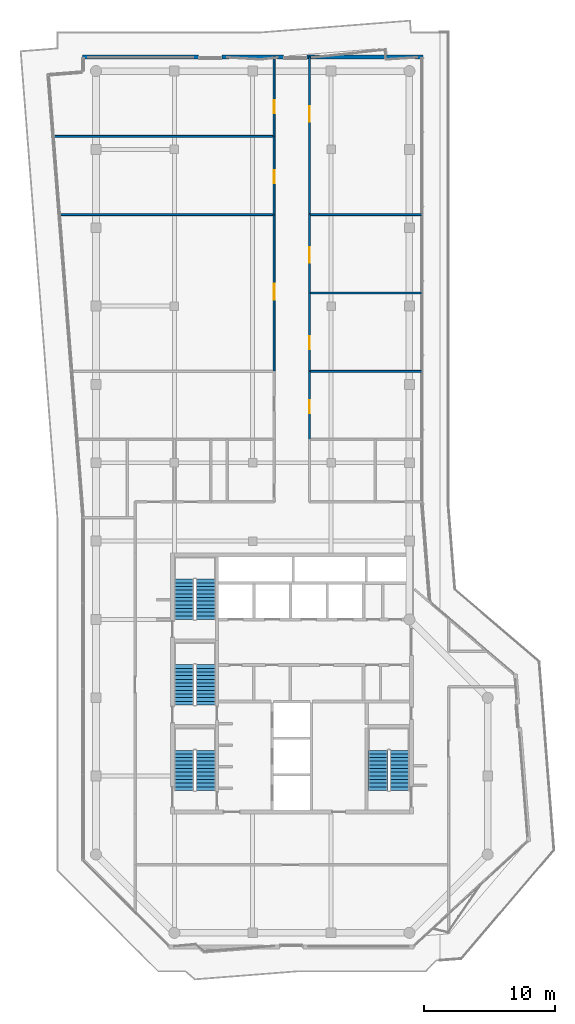
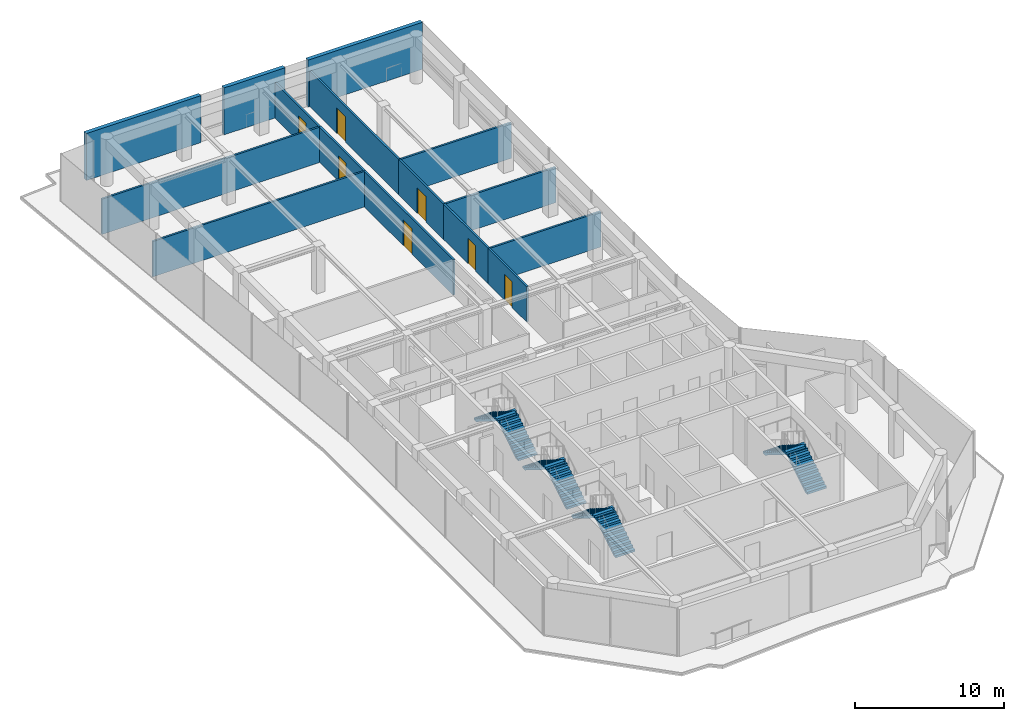
# One storey, part 21 of 23: 15 walls, 8 stair flights, 7 doors, 7 openings, 4 elements without a shape of their own.
"""IFC4 building model written with IfcOpenShell, lengths in metres."""

from ifc_helpers import new_model, si_unit, direction, frame, frame_2d, origin, place, context, subcontext, project, spatial, polyline, rectangle, outline, extrude, material, layer, layer_set, type_object, element, fill, aggregate, save


model = new_model("IFC4")

# Units and contexts
model_context = context("Model", 3, precision=1e-05, world=origin(), true_north=direction((0.0, 1.0)))
body_context = subcontext(model_context, "Body", "Model", "MODEL_VIEW")
ifc_project = project(units=[si_unit("LENGTHUNIT", "METRE"), si_unit("AREAUNIT", "SQUARE_METRE"), si_unit("VOLUMEUNIT", "CUBIC_METRE"), si_unit("PLANEANGLEUNIT", "RADIAN"), si_unit("MASSUNIT", "GRAM", prefix="KILO")], contexts=[model_context])

# Site, building, storey
site_placement = place(None, origin())
site = spatial("IfcSite", under=ifc_project, at=site_placement, CompositionType="ELEMENT")
building_placement = place(site_placement, origin())
building = spatial("IfcBuilding", under=site, at=building_placement, Name="Welwitschia Terrace Campus", CompositionType="ELEMENT")
storey_placement = place(building_placement, frame((0.0, 0.0, 306.199951171875)))
storey = spatial("IfcBuildingStorey", under=building, at=storey_placement, Name="L68", CompositionType="ELEMENT", Elevation=306.199951171875)

# Walls
ifc_material_1 = material(Name="Gypsum board on steel studs", Category="steel")
ifc_layer_1 = layer(ifc_material_1, 0.14990234375)
ifc_layer_set_1 = layer_set([ifc_layer_1], Name="Gypsum board on steel studs")
wall_type_1 = type_object("IfcWallType", Name="Corridor partition 150 EI 30", PredefinedType="PARTITIONING", material=ifc_layer_set_1)
wall_1_placement = place(storey_placement, frame((-3.280029296875, 57.0, 0.0), z_axis=(0.0, 0.0, 1.0), x_axis=(1.0, 0.0, 0.0)))
element("IfcWall", 1, at=wall_1_placement, inside=storey, type_object=wall_type_1, Name="Partition", PredefinedType="PARTITIONING", context=body_context, shape_type="SweptSolid", body=[
    extrude(rectangle(XDim=16.929931640625, YDim=0.14990234375, at=frame_2d((8.46484375, 0.0))), origin(), (0.0, 0.0, 1.0), 2.900146484375),
])
wall_2_placement = place(storey_placement, frame((-2.81005859375, 51.0, 0.0), z_axis=(0.0, 0.0, 1.0), x_axis=(1.0, 0.0, 0.0)))
element("IfcWall", 2, at=wall_2_placement, inside=storey, type_object=wall_type_1, Name="Partition", PredefinedType="PARTITIONING", context=body_context, shape_type="SweptSolid", body=[
    extrude(rectangle(XDim=16.4599609375, YDim=0.14990234375, at=frame_2d((8.22998046875, 0.0))), origin(), (0.0, 0.0, 1.0), 2.900146484375),
])

# Wall, opening, door
wall_3_placement = place(storey_placement, frame((13.64990234375, 39.0, 0.0), z_axis=(0.0, 0.0, 1.0), x_axis=(0.0, 1.0, 0.0)))
wall_3 = element("IfcWall", 3, at=wall_3_placement, inside=storey, type_object=wall_type_1, Name="Partition", PredefinedType="PARTITIONING", context=body_context, shape_type="SweptSolid", body=[
    extrude(rectangle(XDim=12.0, YDim=0.14990234375, at=frame_2d((6.0, 0.0))), origin(), (0.0, 0.0, 1.0), 2.900146484375),
])
opening_1_placement = place(wall_3_placement, frame((5.5, 0.0, 0.0)))
opening_1 = element("IfcOpeningElement", 4, at=opening_1_placement, cuts=wall_3, Name="Opening DI12", PredefinedType="OPENING", context=body_context, shape_type="SweptSolid", body=[
    extrude(rectangle(XDim=1.199951171875, YDim=2.10009765625, at=frame_2d((0.60009765625, 1.050048828125))), frame((0.0, 0.0849609375, 0.0), z_axis=(0.0, -1.0, 0.0), x_axis=(1.0, 0.0, 0.0)), (0.0, 0.0, 1.0), 0.169921875),
])
ifc_material_2 = material(Name="Timber veneered door", Category="wood")
door_type_1 = type_object("IfcDoorType", Name="Interior door DI12", OperationType="NOTDEFINED", PredefinedType="DOOR", material=ifc_material_2)
door_1_placement = place(opening_1_placement, origin())
door_1 = element("IfcDoor", 5, at=door_1_placement, inside=storey, type_object=door_type_1, Name="Door L68 1204", OperationType="SINGLE_SWING_LEFT", OverallHeight=2.10009765625, OverallWidth=1.199951171875, PredefinedType="DOOR", context=body_context, shape_type="SweptSolid", body=[
    extrude(rectangle(XDim=1.199951171875, YDim=2.10009765625, at=frame_2d((0.60009765625, 1.050048828125))), frame((0.0, 0.02490234375, 0.0), z_axis=(0.0, -1.0, 0.0), x_axis=(1.0, 0.0, 0.0)), (0.0, 0.0, 1.0), 0.050048828125),
])
fill(opening_1, door_1)

wall_4_placement = place(storey_placement, frame((13.64990234375, 51.0, 0.0), z_axis=(0.0, 0.0, 1.0), x_axis=(0.0, 1.0, 0.0)))
wall_4 = element("IfcWall", 6, at=wall_4_placement, inside=storey, type_object=wall_type_1, Name="Partition", PredefinedType="PARTITIONING", context=body_context, shape_type="SweptSolid", body=[
    extrude(rectangle(XDim=6.0, YDim=0.14990234375, at=frame_2d((3.0, 0.0))), origin(), (0.0, 0.0, 1.0), 2.900146484375),
])
opening_2_placement = place(wall_4_placement, frame((2.39990234375, 0.0, 0.0)))
opening_2 = element("IfcOpeningElement", 7, at=opening_2_placement, cuts=wall_4, Name="Opening DI10", PredefinedType="OPENING", context=body_context, shape_type="SweptSolid", body=[
    extrude(rectangle(XDim=1.0, YDim=2.10009765625, at=frame_2d((0.5, 1.050048828125))), frame((0.0, 0.0849609375, 0.0), z_axis=(0.0, -1.0, 0.0), x_axis=(1.0, 0.0, 0.0)), (0.0, 0.0, 1.0), 0.169921875),
])
ifc_material_3 = material(Name="Timber veneered door", Category="wood")
door_type_2 = type_object("IfcDoorType", Name="Interior door DI10", OperationType="NOTDEFINED", PredefinedType="DOOR", material=ifc_material_3)
door_2_placement = place(opening_2_placement, origin())
door_2 = element("IfcDoor", 8, at=door_2_placement, inside=storey, type_object=door_type_2, Name="Door L68 1205", OperationType="SINGLE_SWING_RIGHT", OverallHeight=2.10009765625, OverallWidth=1.0, PredefinedType="DOOR", context=body_context, shape_type="SweptSolid", body=[
    extrude(rectangle(XDim=1.0, YDim=2.10009765625, at=frame_2d((0.5, 1.050048828125))), frame((0.0, 0.02490234375, 0.0), z_axis=(0.0, -1.0, 0.0), x_axis=(1.0, 0.0, 0.0)), (0.0, 0.0, 1.0), 0.050048828125),
])
fill(opening_2, door_2)

wall_5_placement = place(storey_placement, frame((13.64990234375, 57.0, 0.0), z_axis=(0.0, 0.0, 1.0), x_axis=(0.0, 1.0, 0.0)))
wall_5 = element("IfcWall", 9, at=wall_5_placement, inside=storey, type_object=wall_type_1, Name="Partition", PredefinedType="PARTITIONING", context=body_context, shape_type="SweptSolid", body=[
    extrude(rectangle(XDim=6.090087890625, YDim=0.14990234375, at=frame_2d((3.044921875, 0.0))), origin(), (0.0, 0.0, 1.0), 2.900146484375),
])
opening_3_placement = place(wall_5_placement, frame((1.780029296875, 0.0, 0.0)))
opening_3 = element("IfcOpeningElement", 10, at=opening_3_placement, cuts=wall_5, Name="Opening DI10", PredefinedType="OPENING", context=body_context, shape_type="SweptSolid", body=[
    extrude(rectangle(XDim=1.0, YDim=2.10009765625, at=frame_2d((0.5, 1.050048828125))), frame((0.0, 0.0849609375, 0.0), z_axis=(0.0, -1.0, 0.0), x_axis=(1.0, 0.0, 0.0)), (0.0, 0.0, 1.0), 0.169921875),
])
door_3_placement = place(opening_3_placement, origin())
door_3 = element("IfcDoor", 11, at=door_3_placement, inside=storey, type_object=door_type_2, Name="Door L68 1206", OperationType="SINGLE_SWING_LEFT", OverallHeight=2.10009765625, OverallWidth=1.0, PredefinedType="DOOR", context=body_context, shape_type="SweptSolid", body=[
    extrude(rectangle(XDim=1.0, YDim=2.10009765625, at=frame_2d((0.5, 1.050048828125))), frame((0.0, 0.02490234375, 0.0), z_axis=(0.0, -1.0, 0.0), x_axis=(1.0, 0.0, 0.0)), (0.0, 0.0, 1.0), 0.050048828125),
])
fill(opening_3, door_3)

wall_6_placement = place(storey_placement, frame((16.35009765625, 39.0, 0.0), z_axis=(0.0, 0.0, 1.0), x_axis=(0.0, -1.0, 0.0)))
wall_6 = element("IfcWall", 12, at=wall_6_placement, inside=storey, type_object=wall_type_1, Name="Partition", PredefinedType="PARTITIONING", context=body_context, shape_type="SweptSolid", body=[
    extrude(rectangle(XDim=5.199951171875, YDim=0.14990234375, at=frame_2d((2.60009765625, 0.0))), origin(), (0.0, 0.0, 1.0), 2.900146484375),
])
opening_4_placement = place(wall_6_placement, frame((2.199951171875, 0.0, 0.0)))
opening_4 = element("IfcOpeningElement", 13, at=opening_4_placement, cuts=wall_6, Name="Opening DI10", PredefinedType="OPENING", context=body_context, shape_type="SweptSolid", body=[
    extrude(rectangle(XDim=1.0, YDim=2.10009765625, at=frame_2d((0.5, 1.050048828125))), frame((0.0, 0.0849609375, 0.0), z_axis=(0.0, -1.0, 0.0), x_axis=(1.0, 0.0, 0.0)), (0.0, 0.0, 1.0), 0.169921875),
])
door_4_placement = place(opening_4_placement, origin())
door_4 = element("IfcDoor", 14, at=door_4_placement, inside=storey, type_object=door_type_2, Name="Door L68 1207", OperationType="SINGLE_SWING_RIGHT", OverallHeight=2.10009765625, OverallWidth=1.0, PredefinedType="DOOR", context=body_context, shape_type="SweptSolid", body=[
    extrude(rectangle(XDim=1.0, YDim=2.10009765625, at=frame_2d((0.5, 1.050048828125))), frame((0.0, 0.02490234375, 0.0), z_axis=(0.0, -1.0, 0.0), x_axis=(1.0, 0.0, 0.0)), (0.0, 0.0, 1.0), 0.050048828125),
])
fill(opening_4, door_4)

# Wall
wall_7_placement = place(storey_placement, frame((16.35009765625, 39.0, 0.0), z_axis=(0.0, 0.0, 1.0), x_axis=(1.0, 0.0, 0.0)))
element("IfcWall", 15, at=wall_7_placement, inside=storey, type_object=wall_type_1, Name="Partition", PredefinedType="PARTITIONING", context=body_context, shape_type="SweptSolid", body=[
    extrude(rectangle(XDim=8.6298828125, YDim=0.14990234375, at=frame_2d((4.31494140625, 0.0))), origin(), (0.0, 0.0, 1.0), 2.900146484375),
])

# Wall, opening, door
wall_8_placement = place(storey_placement, frame((16.35009765625, 45.0, 0.0), z_axis=(0.0, 0.0, 1.0), x_axis=(0.0, -1.0, 0.0)))
wall_8 = element("IfcWall", 16, at=wall_8_placement, inside=storey, type_object=wall_type_1, Name="Partition", PredefinedType="PARTITIONING", context=body_context, shape_type="SweptSolid", body=[
    extrude(rectangle(XDim=6.0, YDim=0.14990234375, at=frame_2d((3.0, 0.0))), origin(), (0.0, 0.0, 1.0), 2.900146484375),
])
opening_5_placement = place(wall_8_placement, frame((3.300048828125, 0.0, 0.0)))
opening_5 = element("IfcOpeningElement", 17, at=opening_5_placement, cuts=wall_8, Name="Opening DI10", PredefinedType="OPENING", context=body_context, shape_type="SweptSolid", body=[
    extrude(rectangle(XDim=1.0, YDim=2.10009765625, at=frame_2d((0.5, 1.050048828125))), frame((0.0, 0.0849609375, 0.0), z_axis=(0.0, -1.0, 0.0), x_axis=(1.0, 0.0, 0.0)), (0.0, 0.0, 1.0), 0.169921875),
])
door_5_placement = place(opening_5_placement, origin())
door_5 = element("IfcDoor", 18, at=door_5_placement, inside=storey, type_object=door_type_2, Name="Door L68 1208", OperationType="SINGLE_SWING_LEFT", OverallHeight=2.10009765625, OverallWidth=1.0, PredefinedType="DOOR", context=body_context, shape_type="SweptSolid", body=[
    extrude(rectangle(XDim=1.0, YDim=2.10009765625, at=frame_2d((0.5, 1.050048828125))), frame((0.0, 0.02490234375, 0.0), z_axis=(0.0, -1.0, 0.0), x_axis=(1.0, 0.0, 0.0)), (0.0, 0.0, 1.0), 0.050048828125),
])
fill(opening_5, door_5)

# Wall
wall_9_placement = place(storey_placement, frame((16.35009765625, 45.0, 0.0), z_axis=(0.0, 0.0, 1.0), x_axis=(1.0, 0.0, 0.0)))
element("IfcWall", 19, at=wall_9_placement, inside=storey, type_object=wall_type_1, Name="Partition", PredefinedType="PARTITIONING", context=body_context, shape_type="SweptSolid", body=[
    extrude(rectangle(XDim=8.6298828125, YDim=0.14990234375, at=frame_2d((4.31494140625, 0.0))), origin(), (0.0, 0.0, 1.0), 2.900146484375),
])

# Wall, opening, door
wall_10_placement = place(storey_placement, frame((16.35009765625, 51.0, 0.0), z_axis=(0.0, 0.0, 1.0), x_axis=(0.0, -1.0, 0.0)))
wall_10 = element("IfcWall", 20, at=wall_10_placement, inside=storey, type_object=wall_type_1, Name="Partition", PredefinedType="PARTITIONING", context=body_context, shape_type="SweptSolid", body=[
    extrude(rectangle(XDim=6.0, YDim=0.14990234375, at=frame_2d((3.0, 0.0))), origin(), (0.0, 0.0, 1.0), 2.900146484375),
])
opening_6_placement = place(wall_10_placement, frame((2.5, 0.0, 0.0)))
opening_6 = element("IfcOpeningElement", 21, at=opening_6_placement, cuts=wall_10, Name="Opening DI12", PredefinedType="OPENING", context=body_context, shape_type="SweptSolid", body=[
    extrude(rectangle(XDim=1.199951171875, YDim=2.10009765625, at=frame_2d((0.60009765625, 1.050048828125))), frame((0.0, 0.0849609375, 0.0), z_axis=(0.0, -1.0, 0.0), x_axis=(1.0, 0.0, 0.0)), (0.0, 0.0, 1.0), 0.169921875),
])
door_6_placement = place(opening_6_placement, origin())
door_6 = element("IfcDoor", 22, at=door_6_placement, inside=storey, type_object=door_type_1, Name="Door L68 1209", OperationType="SINGLE_SWING_RIGHT", OverallHeight=2.10009765625, OverallWidth=1.199951171875, PredefinedType="DOOR", context=body_context, shape_type="SweptSolid", body=[
    extrude(rectangle(XDim=1.199951171875, YDim=2.10009765625, at=frame_2d((0.60009765625, 1.050048828125))), frame((0.0, 0.02490234375, 0.0), z_axis=(0.0, -1.0, 0.0), x_axis=(1.0, 0.0, 0.0)), (0.0, 0.0, 1.0), 0.050048828125),
])
fill(opening_6, door_6)

# Wall
wall_11_placement = place(storey_placement, frame((16.35009765625, 51.0, 0.0), z_axis=(0.0, 0.0, 1.0), x_axis=(1.0, 0.0, 0.0)))
element("IfcWall", 23, at=wall_11_placement, inside=storey, type_object=wall_type_1, Name="Partition", PredefinedType="PARTITIONING", context=body_context, shape_type="SweptSolid", body=[
    extrude(rectangle(XDim=8.6298828125, YDim=0.14990234375, at=frame_2d((4.31494140625, 0.0))), origin(), (0.0, 0.0, 1.0), 2.900146484375),
])

# Wall, opening, door
wall_12_placement = place(storey_placement, frame((16.35009765625, 63.090087890625, 0.0), z_axis=(0.0, 0.0, 1.0), x_axis=(0.0, -1.0, 0.0)))
wall_12 = element("IfcWall", 24, at=wall_12_placement, inside=storey, type_object=wall_type_1, Name="Partition", PredefinedType="PARTITIONING", context=body_context, shape_type="SweptSolid", body=[
    extrude(rectangle(XDim=12.090087890625, YDim=0.14990234375, at=frame_2d((6.044921875, 0.0))), origin(), (0.0, 0.0, 1.0), 2.900146484375),
])
opening_7_placement = place(wall_12_placement, frame((3.7900390625, 0.0, 0.0)))
opening_7 = element("IfcOpeningElement", 25, at=opening_7_placement, cuts=wall_12, Name="Opening DI12", PredefinedType="OPENING", context=body_context, shape_type="SweptSolid", body=[
    extrude(rectangle(XDim=1.199951171875, YDim=2.10009765625, at=frame_2d((0.60009765625, 1.050048828125))), frame((0.0, 0.0849609375, 0.0), z_axis=(0.0, -1.0, 0.0), x_axis=(1.0, 0.0, 0.0)), (0.0, 0.0, 1.0), 0.169921875),
])
door_7_placement = place(opening_7_placement, origin())
door_7 = element("IfcDoor", 26, at=door_7_placement, inside=storey, type_object=door_type_1, Name="Door L68 1210", OperationType="SINGLE_SWING_LEFT", OverallHeight=2.10009765625, OverallWidth=1.199951171875, PredefinedType="DOOR", context=body_context, shape_type="SweptSolid", body=[
    extrude(rectangle(XDim=1.199951171875, YDim=2.10009765625, at=frame_2d((0.60009765625, 1.050048828125))), frame((0.0, 0.02490234375, 0.0), z_axis=(0.0, -1.0, 0.0), x_axis=(1.0, 0.0, 0.0)), (0.0, 0.0, 1.0), 0.050048828125),
])
fill(opening_7, door_7)

# Walls
ifc_material_4 = material(Name="Concrete C40/50", Category="concrete")
ifc_layer_2 = layer(ifc_material_4, 0.300048828125)
ifc_layer_set_2 = layer_set([ifc_layer_2], Name="Concrete C40/50")
wall_type_2 = type_object("IfcWallType", Name="Mass wall 300", PredefinedType="SOLIDWALL", material=ifc_layer_set_2)
wall_13_placement = place(storey_placement, frame((25.030029296875, 63.078125, 0.0), z_axis=(0.0, 0.0, 1.0), x_axis=(-1.0, 0.0, 0.0)))
element("IfcWall", 27, at=wall_13_placement, inside=storey, type_object=wall_type_2, Name="Mass wall L68.8.0", PredefinedType="SOLIDWALL", context=body_context, shape_type="SweptSolid", body=[
    extrude(rectangle(XDim=8.87255859375, YDim=0.300048828125, at=frame_2d((4.436279296875, 0.0))), origin(), (0.0, 0.0, 1.0), 3.85009765625),
])
wall_14_placement = place(storey_placement, frame((14.357421875, 63.080078125, 0.0), z_axis=(0.0, 0.0, 1.0), x_axis=(-1.0, 0.0, 0.0)))
element("IfcWall", 28, at=wall_14_placement, inside=storey, type_object=wall_type_2, Name="Mass wall L68.8.1", PredefinedType="SOLIDWALL", context=body_context, shape_type="SweptSolid", body=[
    extrude(rectangle(XDim=4.71484375, YDim=0.300048828125, at=frame_2d((2.357421875, 0.0))), origin(), (0.0, 0.0, 1.0), 3.85009765625),
])
wall_15_placement = place(storey_placement, frame((7.842529296875, 63.078125, 0.0), z_axis=(0.0, 0.0, 1.0), x_axis=(-1.0, 0.0, 0.0)))
element("IfcWall", 29, at=wall_15_placement, inside=storey, type_object=wall_type_2, Name="Mass wall L68.8.2", PredefinedType="SOLIDWALL", context=body_context, shape_type="SweptSolid", body=[
    extrude(rectangle(XDim=8.87255859375, YDim=0.300048828125, at=frame_2d((4.436279296875, 0.0))), origin(), (0.0, 0.0, 1.0), 3.85009765625),
])

# Stair, stair flights
ifc_material_5 = material(Name="Concrete C40/50", Category="concrete")
stair_type = type_object("IfcStairType", Name="Stair 24R 175 W1500", PredefinedType="HALF_TURN_STAIR", material=ifc_material_5)
stair_1_placement = place(storey_placement, origin())
stair_1 = element("IfcStair", 30, at=stair_1_placement, inside=storey, type_object=stair_type, Name="L68 Exit stair S1", PredefinedType="HALF_TURN_STAIR")
ifc_material_6 = material(Name="Concrete C40/50", Category="concrete")
stair_flight_type = type_object("IfcStairFlightType", Name="Stair flight 24R 175 W1500", PredefinedType="STRAIGHT", material=ifc_material_6)
stair_flight_1_placement = place(storey_placement, frame((8.39990234375, 6.89990234375, 0.0), z_axis=(0.0, 0.0, 1.0), x_axis=(0.0, 1.0, 0.0)))
stair_flight_1 = element("IfcStairFlight", 31, at=stair_flight_1_placement, type_object=stair_flight_type, Name="S1 flight 1", NumberOfRisers=12, NumberOfTreads=11, PredefinedType="STRAIGHT", RiserHeight=0.175, TreadLength=0.28, context=body_context, shape_type="SweptSolid", body=[
    extrude(outline(polyline([(0.0, 0.0), (0.0, 0.175048828125), (0.280029296875, 0.175048828125), (0.280029296875, 0.35009765625), (0.56005859375, 0.35009765625), (0.56005859375, 0.52490234375), (0.840087890625, 0.52490234375), (0.840087890625, 0.699951171875), (1.1201171875, 0.699951171875), (1.1201171875, 0.875), (1.39990234375, 0.875), (1.39990234375, 1.050048828125), (1.679931640625, 1.050048828125), (1.679931640625, 1.22509765625), (1.9599609375, 1.22509765625), (1.9599609375, 1.39990234375), (2.239990234375, 1.39990234375), (2.239990234375, 1.574951171875), (2.52001953125, 1.574951171875), (2.52001953125, 1.75), (2.800048828125, 1.75), (2.800048828125, 1.925048828125), (3.080078125, 1.925048828125), (3.080078125, 2.10009765625), (3.080078125, 1.748291015625), (0.28271484375, 0.0), (0.0, 0.0)])), frame((0.0, 0.75, 0.0), z_axis=(0.0, -1.0, 0.0), x_axis=(1.0, 0.0, 0.0)), (0.0, 0.0, 1.0), 1.5),
])
stair_flight_2_placement = place(storey_placement, frame((6.75, 9.97998046875, 2.10009765625), z_axis=(0.0, 0.0, 1.0), x_axis=(0.0, -1.0, 0.0)))
stair_flight_2 = element("IfcStairFlight", 32, at=stair_flight_2_placement, type_object=stair_flight_type, Name="S1 flight 2", NumberOfRisers=12, NumberOfTreads=11, PredefinedType="STRAIGHT", RiserHeight=0.175, TreadLength=0.28, context=body_context, shape_type="SweptSolid", body=[
    extrude(outline(polyline([(0.0, 0.0), (0.0, 0.175048828125), (0.280029296875, 0.175048828125), (0.280029296875, 0.35009765625), (0.56005859375, 0.35009765625), (0.56005859375, 0.52490234375), (0.840087890625, 0.52490234375), (0.840087890625, 0.699951171875), (1.1201171875, 0.699951171875), (1.1201171875, 0.875), (1.39990234375, 0.875), (1.39990234375, 1.050048828125), (1.679931640625, 1.050048828125), (1.679931640625, 1.22509765625), (1.9599609375, 1.22509765625), (1.9599609375, 1.39990234375), (2.239990234375, 1.39990234375), (2.239990234375, 1.574951171875), (2.52001953125, 1.574951171875), (2.52001953125, 1.75), (2.800048828125, 1.75), (2.800048828125, 1.925048828125), (3.080078125, 1.925048828125), (3.080078125, 2.10009765625), (3.080078125, 1.748291015625), (0.28271484375, 0.0), (0.0, 0.0)])), frame((0.0, 0.75, 0.0), z_axis=(0.0, -1.0, 0.0), x_axis=(1.0, 0.0, 0.0)), (0.0, 0.0, 1.0), 1.5),
])
aggregate(stair_1, [stair_flight_1, stair_flight_2])

stair_2_placement = place(storey_placement, origin())
stair_2 = element("IfcStair", 33, at=stair_2_placement, inside=storey, type_object=stair_type, Name="L68 Exit stair S3", PredefinedType="HALF_TURN_STAIR")
stair_flight_3_placement = place(storey_placement, frame((8.39990234375, 13.449951171875, 0.0), z_axis=(0.0, 0.0, 1.0), x_axis=(0.0, 1.0, 0.0)))
stair_flight_3 = element("IfcStairFlight", 34, at=stair_flight_3_placement, type_object=stair_flight_type, Name="S3 flight 1", NumberOfRisers=12, NumberOfTreads=11, PredefinedType="STRAIGHT", RiserHeight=0.175, TreadLength=0.28, context=body_context, shape_type="SweptSolid", body=[
    extrude(outline(polyline([(0.0, 0.0), (0.0, 0.175048828125), (0.280029296875, 0.175048828125), (0.280029296875, 0.35009765625), (0.56005859375, 0.35009765625), (0.56005859375, 0.52490234375), (0.840087890625, 0.52490234375), (0.840087890625, 0.699951171875), (1.1201171875, 0.699951171875), (1.1201171875, 0.875), (1.39990234375, 0.875), (1.39990234375, 1.050048828125), (1.679931640625, 1.050048828125), (1.679931640625, 1.22509765625), (1.9599609375, 1.22509765625), (1.9599609375, 1.39990234375), (2.239990234375, 1.39990234375), (2.239990234375, 1.574951171875), (2.52001953125, 1.574951171875), (2.52001953125, 1.75), (2.800048828125, 1.75), (2.800048828125, 1.925048828125), (3.080078125, 1.925048828125), (3.080078125, 2.10009765625), (3.080078125, 1.748291015625), (0.28271484375, 0.0), (0.0, 0.0)])), frame((0.0, 0.75, 0.0), z_axis=(0.0, -1.0, 0.0), x_axis=(1.0, 0.0, 0.0)), (0.0, 0.0, 1.0), 1.5),
])
stair_flight_4_placement = place(storey_placement, frame((6.75, 16.530029296875, 2.10009765625), z_axis=(0.0, 0.0, 1.0), x_axis=(0.0, -1.0, 0.0)))
stair_flight_4 = element("IfcStairFlight", 35, at=stair_flight_4_placement, type_object=stair_flight_type, Name="S3 flight 2", NumberOfRisers=12, NumberOfTreads=11, PredefinedType="STRAIGHT", RiserHeight=0.175, TreadLength=0.28, context=body_context, shape_type="SweptSolid", body=[
    extrude(outline(polyline([(0.0, 0.0), (0.0, 0.175048828125), (0.280029296875, 0.175048828125), (0.280029296875, 0.35009765625), (0.56005859375, 0.35009765625), (0.56005859375, 0.52490234375), (0.840087890625, 0.52490234375), (0.840087890625, 0.699951171875), (1.1201171875, 0.699951171875), (1.1201171875, 0.875), (1.39990234375, 0.875), (1.39990234375, 1.050048828125), (1.679931640625, 1.050048828125), (1.679931640625, 1.22509765625), (1.9599609375, 1.22509765625), (1.9599609375, 1.39990234375), (2.239990234375, 1.39990234375), (2.239990234375, 1.574951171875), (2.52001953125, 1.574951171875), (2.52001953125, 1.75), (2.800048828125, 1.75), (2.800048828125, 1.925048828125), (3.080078125, 1.925048828125), (3.080078125, 2.10009765625), (3.080078125, 1.748291015625), (0.28271484375, 0.0), (0.0, 0.0)])), frame((0.0, 0.75, 0.0), z_axis=(0.0, -1.0, 0.0), x_axis=(1.0, 0.0, 0.0)), (0.0, 0.0, 1.0), 1.5),
])
aggregate(stair_2, [stair_flight_3, stair_flight_4])

stair_3_placement = place(storey_placement, origin())
stair_3 = element("IfcStair", 36, at=stair_3_placement, inside=storey, type_object=stair_type, Name="L68 Exit stair S4", PredefinedType="HALF_TURN_STAIR")
stair_flight_5_placement = place(storey_placement, frame((8.39990234375, 20.0, 0.0), z_axis=(0.0, 0.0, 1.0), x_axis=(0.0, 1.0, 0.0)))
stair_flight_5 = element("IfcStairFlight", 37, at=stair_flight_5_placement, type_object=stair_flight_type, Name="S4 flight 1", NumberOfRisers=12, NumberOfTreads=11, PredefinedType="STRAIGHT", RiserHeight=0.175, TreadLength=0.28, context=body_context, shape_type="SweptSolid", body=[
    extrude(outline(polyline([(0.0, 0.0), (0.0, 0.175048828125), (0.280029296875, 0.175048828125), (0.280029296875, 0.35009765625), (0.56005859375, 0.35009765625), (0.56005859375, 0.52490234375), (0.840087890625, 0.52490234375), (0.840087890625, 0.699951171875), (1.1201171875, 0.699951171875), (1.1201171875, 0.875), (1.39990234375, 0.875), (1.39990234375, 1.050048828125), (1.679931640625, 1.050048828125), (1.679931640625, 1.22509765625), (1.9599609375, 1.22509765625), (1.9599609375, 1.39990234375), (2.239990234375, 1.39990234375), (2.239990234375, 1.574951171875), (2.52001953125, 1.574951171875), (2.52001953125, 1.75), (2.800048828125, 1.75), (2.800048828125, 1.925048828125), (3.080078125, 1.925048828125), (3.080078125, 2.10009765625), (3.080078125, 1.748291015625), (0.28271484375, 0.0), (0.0, 0.0)])), frame((0.0, 0.75, 0.0), z_axis=(0.0, -1.0, 0.0), x_axis=(1.0, 0.0, 0.0)), (0.0, 0.0, 1.0), 1.5),
])
stair_flight_6_placement = place(storey_placement, frame((6.75, 23.080078125, 2.10009765625), z_axis=(0.0, 0.0, 1.0), x_axis=(0.0, -1.0, 0.0)))
stair_flight_6 = element("IfcStairFlight", 38, at=stair_flight_6_placement, type_object=stair_flight_type, Name="S4 flight 2", NumberOfRisers=12, NumberOfTreads=11, PredefinedType="STRAIGHT", RiserHeight=0.175, TreadLength=0.28, context=body_context, shape_type="SweptSolid", body=[
    extrude(outline(polyline([(0.0, 0.0), (0.0, 0.175048828125), (0.280029296875, 0.175048828125), (0.280029296875, 0.35009765625), (0.56005859375, 0.35009765625), (0.56005859375, 0.52490234375), (0.840087890625, 0.52490234375), (0.840087890625, 0.699951171875), (1.1201171875, 0.699951171875), (1.1201171875, 0.875), (1.39990234375, 0.875), (1.39990234375, 1.050048828125), (1.679931640625, 1.050048828125), (1.679931640625, 1.22509765625), (1.9599609375, 1.22509765625), (1.9599609375, 1.39990234375), (2.239990234375, 1.39990234375), (2.239990234375, 1.574951171875), (2.52001953125, 1.574951171875), (2.52001953125, 1.75), (2.800048828125, 1.75), (2.800048828125, 1.925048828125), (3.080078125, 1.925048828125), (3.080078125, 2.10009765625), (3.080078125, 1.748291015625), (0.28271484375, 0.0), (0.0, 0.0)])), frame((0.0, 0.75, 0.0), z_axis=(0.0, -1.0, 0.0), x_axis=(1.0, 0.0, 0.0)), (0.0, 0.0, 1.0), 1.5),
])
aggregate(stair_3, [stair_flight_5, stair_flight_6])

stair_4_placement = place(storey_placement, origin())
stair_4 = element("IfcStair", 39, at=stair_4_placement, inside=storey, type_object=stair_type, Name="L68 Exit stair S2", PredefinedType="HALF_TURN_STAIR")
stair_flight_7_placement = place(storey_placement, frame((23.25, 6.89990234375, 0.0), z_axis=(0.0, 0.0, 1.0), x_axis=(0.0, 1.0, 0.0)))
stair_flight_7 = element("IfcStairFlight", 40, at=stair_flight_7_placement, type_object=stair_flight_type, Name="S2 flight 1", NumberOfRisers=12, NumberOfTreads=11, PredefinedType="STRAIGHT", RiserHeight=0.175, TreadLength=0.28, context=body_context, shape_type="SweptSolid", body=[
    extrude(outline(polyline([(0.0, 0.0), (0.0, 0.175048828125), (0.280029296875, 0.175048828125), (0.280029296875, 0.35009765625), (0.56005859375, 0.35009765625), (0.56005859375, 0.52490234375), (0.840087890625, 0.52490234375), (0.840087890625, 0.699951171875), (1.1201171875, 0.699951171875), (1.1201171875, 0.875), (1.39990234375, 0.875), (1.39990234375, 1.050048828125), (1.679931640625, 1.050048828125), (1.679931640625, 1.22509765625), (1.9599609375, 1.22509765625), (1.9599609375, 1.39990234375), (2.239990234375, 1.39990234375), (2.239990234375, 1.574951171875), (2.52001953125, 1.574951171875), (2.52001953125, 1.75), (2.800048828125, 1.75), (2.800048828125, 1.925048828125), (3.080078125, 1.925048828125), (3.080078125, 2.10009765625), (3.080078125, 1.748291015625), (0.28271484375, 0.0), (0.0, 0.0)])), frame((0.0, 0.75, 0.0), z_axis=(0.0, -1.0, 0.0), x_axis=(1.0, 0.0, 0.0)), (0.0, 0.0, 1.0), 1.5),
])
stair_flight_8_placement = place(storey_placement, frame((21.60009765625, 9.97998046875, 2.10009765625), z_axis=(0.0, 0.0, 1.0), x_axis=(0.0, -1.0, 0.0)))
stair_flight_8 = element("IfcStairFlight", 41, at=stair_flight_8_placement, type_object=stair_flight_type, Name="S2 flight 2", NumberOfRisers=12, NumberOfTreads=11, PredefinedType="STRAIGHT", RiserHeight=0.175, TreadLength=0.28, context=body_context, shape_type="SweptSolid", body=[
    extrude(outline(polyline([(0.0, 0.0), (0.0, 0.175048828125), (0.280029296875, 0.175048828125), (0.280029296875, 0.35009765625), (0.56005859375, 0.35009765625), (0.56005859375, 0.52490234375), (0.840087890625, 0.52490234375), (0.840087890625, 0.699951171875), (1.1201171875, 0.699951171875), (1.1201171875, 0.875), (1.39990234375, 0.875), (1.39990234375, 1.050048828125), (1.679931640625, 1.050048828125), (1.679931640625, 1.22509765625), (1.9599609375, 1.22509765625), (1.9599609375, 1.39990234375), (2.239990234375, 1.39990234375), (2.239990234375, 1.574951171875), (2.52001953125, 1.574951171875), (2.52001953125, 1.75), (2.800048828125, 1.75), (2.800048828125, 1.925048828125), (3.080078125, 1.925048828125), (3.080078125, 2.10009765625), (3.080078125, 1.748291015625), (0.28271484375, 0.0), (0.0, 0.0)])), frame((0.0, 0.75, 0.0), z_axis=(0.0, -1.0, 0.0), x_axis=(1.0, 0.0, 0.0)), (0.0, 0.0, 1.0), 1.5),
])
aggregate(stair_4, [stair_flight_7, stair_flight_8])

save(model, "model.ifc")
